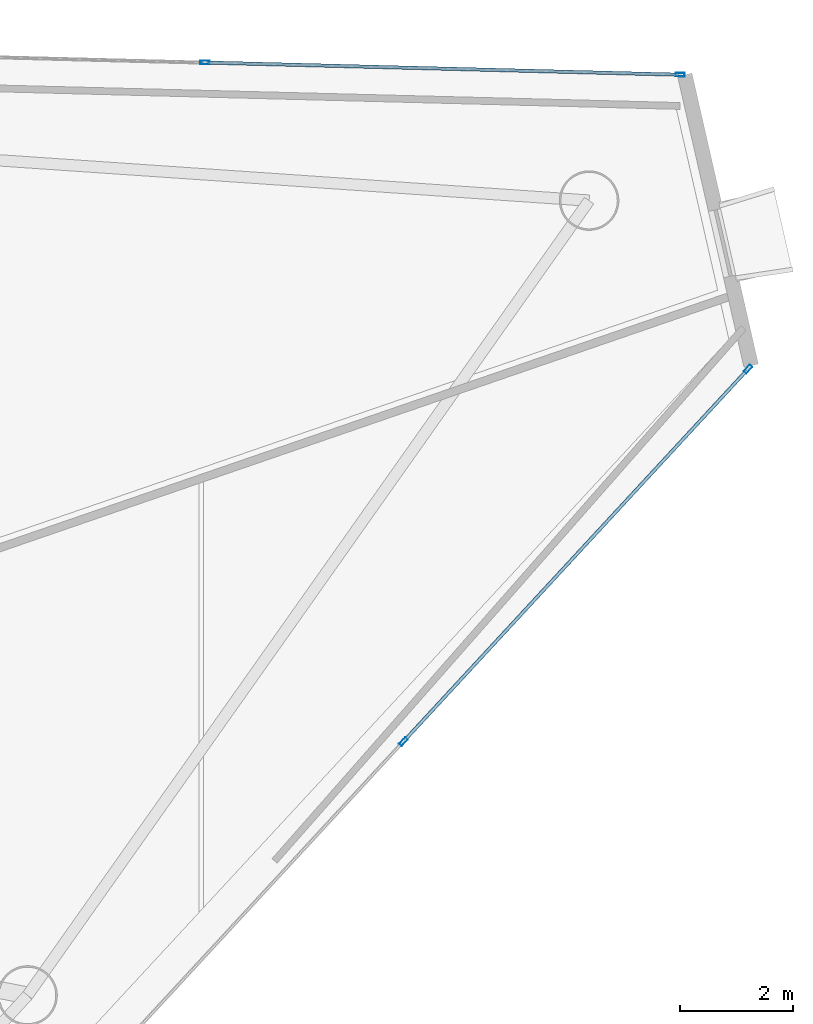
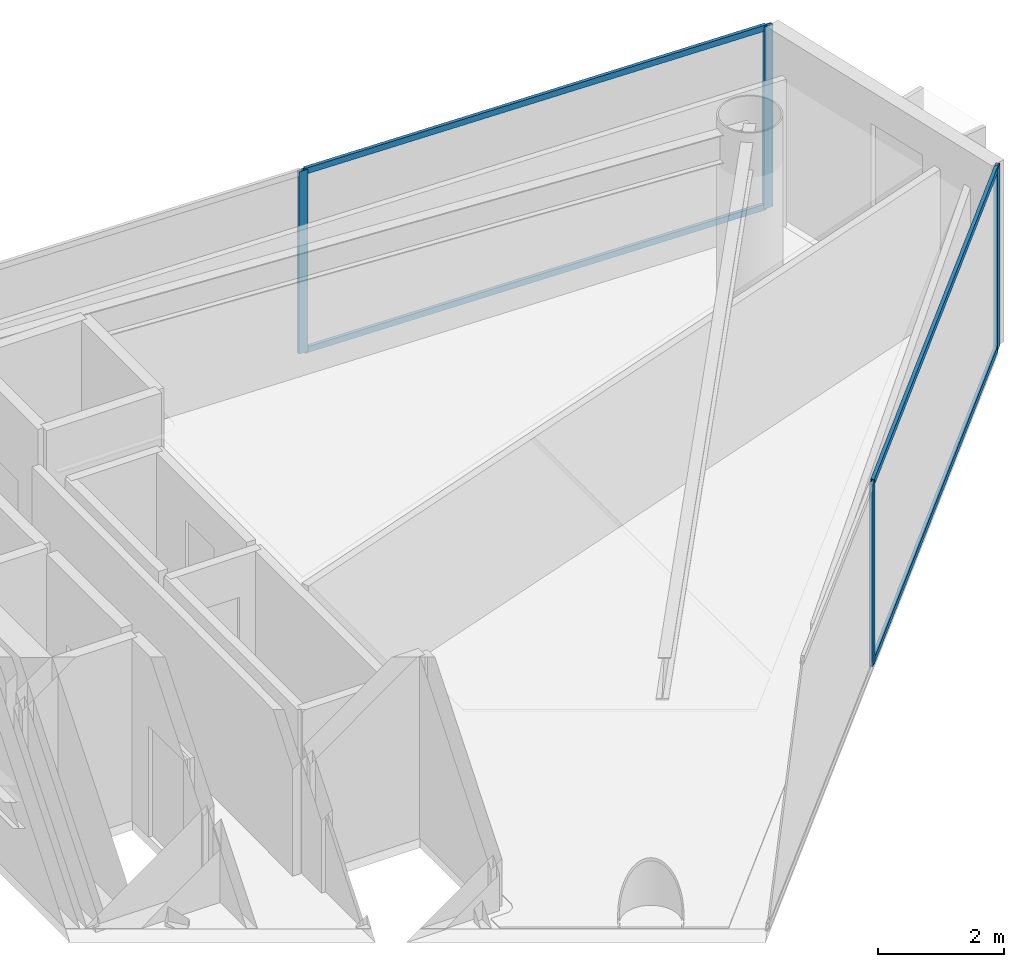
# One storey, part 13 of 21: 8 members, 2 elements without a shape of their own.
"""IFC4 building model written with IfcOpenShell, lengths in metres."""

import ifcopenshell
import ifcopenshell.guid

model = None  # the IFC model being written
_history = None  # IfcOwnerHistory: only IFC2X3 demands one
_inside = {}  # id of a spatial element -> (the spatial element, [elements in it])
_under = {}  # id of a project, library or spatial element -> (it, [spatial elements below it])
_declared = {}  # id of a project -> (the project, [libraries it declares])
_typed = {}  # id of a type object -> (the type object, [elements of that type])
_made_of = {}  # id of a material, layer set ... -> (it, [elements and type objects made of it])


def new_model(schema):
    """Start an empty IFC model of exactly this schema.

    Asked for "IFC4X3", IfcOpenShell would pick the latest addendum, in which some entities
    have other attributes; the version numbers below select the first issue.
    IFC2X3 requires an IfcOwnerHistory on every rooted entity: one is made here for all.
    """
    global model, _history
    if schema == "IFC4X3":
        model = ifcopenshell.file(schema_version=(4, 3, 0, 0))
    else:
        model = ifcopenshell.file(schema=schema)
    _inside.clear()
    _under.clear()
    _declared.clear()
    _typed.clear()
    _made_of.clear()
    _history = None
    if model.schema == "IFC2X3":
        org = make("IfcOrganization", Name="unknown")
        user = make(
            "IfcPersonAndOrganization",
            ThePerson=make("IfcPerson", FamilyName="unknown"),
            TheOrganization=org,
        )
        app = make(
            "IfcApplication",
            ApplicationDeveloper=org,
            Version="unknown",
            ApplicationFullName="unknown",
            ApplicationIdentifier="unknown",
        )
        _history = make(
            "IfcOwnerHistory",
            OwningUser=user,
            OwningApplication=app,
            ChangeAction="ADDED",
            CreationDate=0,
        )
    return model


def make(cls, **values):
    """One entity of the class cls with the attributes given. An attribute that is None is left unset."""
    return model.create_entity(
        cls, **{name: value for name, value in values.items() if value is not None}
    )


def rooted(cls, **values):
    """An entity with a GlobalId (a new one), such as an element, a storey or a relation."""
    return make(cls, GlobalId=ifcopenshell.guid.new(), OwnerHistory=_history, **values)


def si_unit(unit_type, name, prefix=None):
    """IfcSIUnit, for example si_unit("LENGTHUNIT", "METRE", prefix="MILLI")."""
    return make("IfcSIUnit", UnitType=unit_type, Prefix=prefix, Name=name)


def assignment(units):
    """IfcUnitAssignment: the units of a project."""
    return None if units is None else make("IfcUnitAssignment", Units=units)


def point(xyz):
    """IfcCartesianPoint."""
    return None if xyz is None else make("IfcCartesianPoint", Coordinates=xyz)


def direction(xyz):
    """IfcDirection."""
    return None if xyz is None else make("IfcDirection", DirectionRatios=xyz)


def frame(location, z_axis=None, x_axis=None):
    """IfcAxis2Placement3D, a coordinate frame: its origin and axes. An axis left out is left unset."""
    return make(
        "IfcAxis2Placement3D",
        Location=point(location),
        Axis=direction(z_axis),
        RefDirection=direction(x_axis),
    )


def frame_2d(location, x_axis=None):
    """IfcAxis2Placement2D, a coordinate frame in the plane: its origin and x axis."""
    return make(
        "IfcAxis2Placement2D", Location=point(location), RefDirection=direction(x_axis)
    )


def origin():
    """The frame at (0, 0, 0) with its axes left unset."""
    return frame((0.0, 0.0, 0.0))


def origin_2d():
    """The frame at (0, 0) in the plane with its x axis left unset."""
    return frame_2d((0.0, 0.0))


def place(relative_to, where):
    """IfcLocalPlacement: puts the frame where relative to a parent placement (None: the world)."""
    return make(
        "IfcLocalPlacement", PlacementRelTo=relative_to, RelativePlacement=where
    )


def context(
    kind, dimensions, precision=None, world=None, true_north=None, identifier=None
):
    """IfcGeometricRepresentationContext, for example the 3D "Model" context."""
    return make(
        "IfcGeometricRepresentationContext",
        ContextIdentifier=identifier,
        ContextType=kind,
        CoordinateSpaceDimension=dimensions,
        Precision=precision,
        WorldCoordinateSystem=world,
        TrueNorth=true_north,
    )


def subcontext(parent, identifier, kind, view, scale=None):
    """IfcGeometricRepresentationSubContext, for example "Body" below "Model"."""
    return make(
        "IfcGeometricRepresentationSubContext",
        ContextIdentifier=identifier,
        ContextType=kind,
        ParentContext=parent,
        TargetScale=scale,
        TargetView=view,
    )


def project(units=None, contexts=None):
    """IfcProject with its units and contexts."""
    return rooted(
        "IfcProject",
        Name="project",
        RepresentationContexts=contexts,
        UnitsInContext=assignment(units),
    )


def spatial(cls, under=None, at=None, **own):
    """A site, building, storey or space (cls), placed at a placement, below another one or the project."""
    s = rooted(cls, ObjectPlacement=at, **own)
    if under is not None:
        _under.setdefault(under.id(), (under, []))[1].append(s)
    return s


def profile(cls, at=None, kind="AREA", **sizes):
    """A parametric profile (cls). Its sizes go by their IFC names, for example OverallWidth=200.0."""
    return make(cls, ProfileType=kind, Position=at, **sizes)


def hollow_rectangle(**sizes):
    """IfcRectangleHollowProfileDef."""
    return profile("IfcRectangleHollowProfileDef", **sizes)


def extrude(swept, where, along, depth):
    """IfcExtrudedAreaSolid: the profile swept, set in the frame where, extruded along a direction by depth."""
    return make(
        "IfcExtrudedAreaSolid",
        SweptArea=swept,
        Position=where,
        ExtrudedDirection=direction(along),
        Depth=depth,
    )


def shape(context_of_items, identifier, shape_type, items):
    """IfcShapeRepresentation: the items that make up one representation, for example the "Body"."""
    return make(
        "IfcShapeRepresentation",
        ContextOfItems=context_of_items,
        RepresentationIdentifier=identifier,
        RepresentationType=shape_type,
        Items=items,
    )


def material(Name=None, Category=None):
    """IfcMaterial."""
    return make("IfcMaterial", Name=Name, Category=Category)


def layer(
    of_material, thickness, ventilated=None, Name=None, Category=None, Priority=None
):
    """IfcMaterialLayer: one layer of a wall or slab, of a material (None: an air gap)."""
    return make(
        "IfcMaterialLayer",
        Material=of_material,
        LayerThickness=thickness,
        IsVentilated=ventilated,
        Name=Name,
        Category=Category,
        Priority=Priority,
    )


def layer_set(layers, Name=None):
    """IfcMaterialLayerSet."""
    return make("IfcMaterialLayerSet", MaterialLayers=layers, LayerSetName=Name)


def material_profile(
    of_material, cross_section, Name=None, Category=None, Priority=None
):
    """IfcMaterialProfile: a cross section and its material."""
    return make(
        "IfcMaterialProfile",
        Name=Name,
        Material=of_material,
        Profile=cross_section,
        Priority=Priority,
        Category=Category,
    )


def profile_set(profiles, Name=None, composite=None):
    """IfcMaterialProfileSet."""
    return make(
        "IfcMaterialProfileSet",
        Name=Name,
        MaterialProfiles=profiles,
        CompositeProfile=composite,
    )


def made_of(thing, what):
    """Note that an element or type object is made of a material, layer set ...; save() writes the relation."""
    if what is not None:
        _made_of.setdefault(what.id(), (what, []))[1].append(thing)
    return thing


def type_object(cls, material=None, **own):
    """A type object (cls), such as IfcWallType, which elements share."""
    return made_of(rooted(cls, **own), material)


def element(
    cls,
    number,
    at=None,
    inside=None,
    cuts=None,
    type_object=None,
    material=None,
    context=None,
    identifier="Body",
    shape_type=None,
    held_by="IfcProductDefinitionShape",
    body=None,
    shapes=None,
    **own,
):
    """One element of the class cls, such as IfcWall. Its Tag is "e" and its number.

    at: its placement. inside: the storey or other place that contains it. cuts: it is an
    opening in that element (IfcRelVoidsElement). A single representation is given by context,
    identifier, shape_type and body (its items); several are given by shapes. held_by: the class
    of the entity that holds the representations. save() writes the other relations.
    """
    e = rooted(cls, Tag="e%d" % number, ObjectPlacement=at, **own)
    if body is not None:
        shapes = [shape(context, identifier, shape_type, body)]
    if shapes is not None:
        e.Representation = make(held_by, Representations=shapes)
    if inside is not None:
        _inside.setdefault(inside.id(), (inside, []))[1].append(e)
    if cuts is not None:
        rooted(
            "IfcRelVoidsElement", RelatingBuildingElement=cuts, RelatedOpeningElement=e
        )
    if type_object is not None:
        _typed.setdefault(type_object.id(), (type_object, []))[1].append(e)
    return made_of(e, material)


def aggregate(whole, parts):
    """IfcRelAggregates: a whole, such as a stair, and the parts it consists of."""
    return rooted("IfcRelAggregates", RelatingObject=whole, RelatedObjects=parts)


def save(model, path):
    """Write the relations noted so far, then the file.

    IfcRelAggregates (storeys below a building ...), IfcRelContainedInSpatialStructure (elements
    in a storey), IfcRelDefinesByType, IfcRelAssociatesMaterial and IfcRelDeclares: one each for
    every whole, place, type object, material and project.
    """
    for whole, parts in _under.values():
        aggregate(whole, parts)
    for where, things in _inside.values():
        rooted(
            "IfcRelContainedInSpatialStructure",
            RelatedElements=things,
            RelatingStructure=where,
        )
    for kind, things in _typed.values():
        rooted("IfcRelDefinesByType", RelatedObjects=things, RelatingType=kind)
    for what, things in _made_of.values():
        rooted("IfcRelAssociatesMaterial", RelatedObjects=things, RelatingMaterial=what)
    for by, libraries in _declared.values():
        rooted("IfcRelDeclares", RelatingContext=by, RelatedDefinitions=libraries)
    model.write(path)


model = new_model("IFC4")

# Units and contexts
model_context = context("Model", 3, precision=1e-05, world=origin(), true_north=direction((0.0, 1.0)))
body_context = subcontext(model_context, "Body", "Model", "MODEL_VIEW")
ifc_project = project(units=[si_unit("LENGTHUNIT", "METRE"), si_unit("AREAUNIT", "SQUARE_METRE"), si_unit("VOLUMEUNIT", "CUBIC_METRE"), si_unit("PLANEANGLEUNIT", "RADIAN"), si_unit("MASSUNIT", "GRAM", prefix="KILO")], contexts=[model_context])

# Site, building, storey
site_placement = place(None, origin())
site = spatial("IfcSite", under=ifc_project, at=site_placement, CompositionType="ELEMENT")
building_placement = place(site_placement, origin())
building = spatial("IfcBuilding", under=site, at=building_placement, Name="Qianvela Tower", CompositionType="ELEMENT")
storey_placement = place(building_placement, frame((0.0, 0.0, 246.39990234375)))
storey = spatial("IfcBuildingStorey", under=building, at=storey_placement, Name="L63", CompositionType="ELEMENT", Elevation=246.39990234375)

# Curtain wall, members
ifc_material_1 = material(Name="Anodised Architectural Aluminium and Low-E Glass", Category="aluminium")
ifc_layer = layer(ifc_material_1, 0.159912109375)
ifc_layer_set = layer_set([ifc_layer], Name="Anodised Architectural Aluminium and Low-E Glass")
curtain_wall_type = type_object("IfcCurtainWallType", Name="CW-COLIV-Z56", PredefinedType="USERDEFINED", material=ifc_layer_set)
curtain_wall_1_placement = place(storey_placement, origin())
curtain_wall_1 = element("IfcCurtainWall", 1, at=curtain_wall_1_placement, inside=storey, type_object=curtain_wall_type, Name="L63 CW-COLIV-Z56 Curtain Wall 02A", ObjectType="CURTAIN_WALL_SYSTEM", PredefinedType="USERDEFINED")
ifc_material_2 = material(Name="Anodised Architectural Aluminium 6063-T6", Category="aluminium")
ifc_material_profile_1 = material_profile(ifc_material_2, hollow_rectangle(XDim=0.06494140625, YDim=0.159912109375, WallThickness=0.0048828125, at=origin_2d()), Name="ALU-MULL-65x160")
ifc_profile_set_1 = profile_set([ifc_material_profile_1], Name="Anodised Architectural Aluminium 6063-T6")
member_type_1 = type_object("IfcMemberType", Name="CW-COLIV-Z56-MULL", PredefinedType="MULLION", material=ifc_profile_set_1)
member_1_placement = place(storey_placement, frame((56.9365234375, 36.823974609375, 0.0), z_axis=(0.0, 0.0, 1.0), x_axis=(-0.025707553905, -0.999669506223, 0.0)))
member_1 = element("IfcMember", 2, at=member_1_placement, type_object=member_type_1, Name="CW-5 mullion 1", PredefinedType="MULLION", context=body_context, shape_type="SweptSolid", body=[
    extrude(hollow_rectangle(XDim=0.06494140625, YDim=0.159912109375, WallThickness=0.0048828125, at=origin_2d()), origin(), (0.0, 0.0, 1.0), 3.52001953125),
])
member_2_placement = place(storey_placement, frame((48.56201171875, 37.039306640625, 0.0), z_axis=(0.0, 0.0, 1.0), x_axis=(-0.025707553905, -0.999669506223, 0.0)))
member_2 = element("IfcMember", 3, at=member_2_placement, type_object=member_type_1, Name="CW-5 mullion 2", PredefinedType="MULLION", context=body_context, shape_type="SweptSolid", body=[
    extrude(hollow_rectangle(XDim=0.06494140625, YDim=0.159912109375, WallThickness=0.0048828125, at=origin_2d()), origin(), (0.0, 0.0, 1.0), 3.52001953125),
])

curtain_wall_2_placement = place(storey_placement, origin())
curtain_wall_2 = element("IfcCurtainWall", 4, at=curtain_wall_2_placement, inside=storey, type_object=curtain_wall_type, Name="L63 CW-COLIV-Z56 Curtain Wall 06B", ObjectType="CURTAIN_WALL_SYSTEM", PredefinedType="USERDEFINED")
member_3_placement = place(storey_placement, frame((52.06005859375, 25.070556640625, 0.0), z_axis=(0.0, 0.0, 1.0), x_axis=(-0.73412151482, 0.679018115722, 0.0)))
member_3 = element("IfcMember", 5, at=member_3_placement, type_object=member_type_1, Name="CW-5 mullion 3", PredefinedType="MULLION", context=body_context, shape_type="SweptSolid", body=[
    extrude(hollow_rectangle(XDim=0.06494140625, YDim=0.159912109375, WallThickness=0.0048828125, at=origin_2d()), origin(), (0.0, 0.0, 1.0), 3.52001953125),
])
member_4_placement = place(storey_placement, frame((58.1328125, 31.635986328125, 0.0), z_axis=(0.0, 0.0, 1.0), x_axis=(-0.73412151482, 0.679018115722, 0.0)))
member_4 = element("IfcMember", 6, at=member_4_placement, type_object=member_type_1, Name="CW-5 mullion 4", PredefinedType="MULLION", context=body_context, shape_type="SweptSolid", body=[
    extrude(hollow_rectangle(XDim=0.06494140625, YDim=0.159912109375, WallThickness=0.0048828125, at=origin_2d()), origin(), (0.0, 0.0, 1.0), 3.52001953125),
])

# Member
ifc_material_3 = material(Name="Anodised Architectural Aluminium 6063-T6", Category="aluminium")
ifc_material_profile_2 = material_profile(ifc_material_3, hollow_rectangle(XDim=0.06005859375, YDim=0.114990234375, WallThickness=0.00390625, at=origin_2d()), Name="ALU-TRAN-60x115")
ifc_profile_set_2 = profile_set([ifc_material_profile_2], Name="Anodised Architectural Aluminium 6063-T6")
member_type_2 = type_object("IfcMemberType", Name="CW-COLIV-Z56-TRAN", PredefinedType="USERDEFINED", material=ifc_profile_set_2)
member_5_placement = place(storey_placement, frame((56.904052734375, 36.82470703125, 0.030029296875), z_axis=(-0.999668956177, 0.025728934235, 0.0), x_axis=(-0.025728934235, -0.999668956177, 0.0)))
member_5 = element("IfcMember", 7, at=member_5_placement, type_object=member_type_2, Name="CW-5 transom 1.1", ObjectType="TRANSOM", PredefinedType="USERDEFINED", context=body_context, shape_type="SweptSolid", body=[
    extrude(hollow_rectangle(XDim=0.06005859375, YDim=0.114990234375, WallThickness=0.00390625, at=origin_2d()), origin(), (0.0, 0.0, 1.0), 8.312255859375),
])

member_6_placement = place(storey_placement, frame((56.904052734375, 36.82470703125, 3.489990234375), z_axis=(-0.999668956177, 0.025728934235, 0.0), x_axis=(-0.025728934235, -0.999668956177, 0.0)))
member_6 = element("IfcMember", 8, at=member_6_placement, type_object=member_type_2, Name="CW-5 transom 1.2", ObjectType="TRANSOM", PredefinedType="USERDEFINED", context=body_context, shape_type="SweptSolid", body=[
    extrude(hollow_rectangle(XDim=0.06005859375, YDim=0.114990234375, WallThickness=0.00390625, at=origin_2d()), origin(), (0.0, 0.0, 1.0), 8.312255859375),
])

aggregate(curtain_wall_1, [member_1, member_2, member_5, member_6])

member_7_placement = place(storey_placement, frame((52.08203125, 25.094482421875, 0.030029296875), z_axis=(0.679030126163, 0.734110405704, 0.0), x_axis=(-0.734110405704, 0.679030126163, 0.0)))
member_7 = element("IfcMember", 9, at=member_7_placement, type_object=member_type_2, Name="CW-5 transom 3.1", ObjectType="TRANSOM", PredefinedType="USERDEFINED", context=body_context, shape_type="SweptSolid", body=[
    extrude(hollow_rectangle(XDim=0.06005859375, YDim=0.114990234375, WallThickness=0.00390625, at=origin_2d()), origin(), (0.0, 0.0, 1.0), 8.878173828125),
])

member_8_placement = place(storey_placement, frame((52.08203125, 25.094482421875, 3.489990234375), z_axis=(0.679030126163, 0.734110405704, 0.0), x_axis=(-0.734110405704, 0.679030126163, 0.0)))
member_8 = element("IfcMember", 10, at=member_8_placement, type_object=member_type_2, Name="CW-5 transom 3.2", ObjectType="TRANSOM", PredefinedType="USERDEFINED", context=body_context, shape_type="SweptSolid", body=[
    extrude(hollow_rectangle(XDim=0.06005859375, YDim=0.114990234375, WallThickness=0.00390625, at=origin_2d()), origin(), (0.0, 0.0, 1.0), 8.878173828125),
])

aggregate(curtain_wall_2, [member_3, member_4, member_7, member_8])

save(model, "model.ifc")
